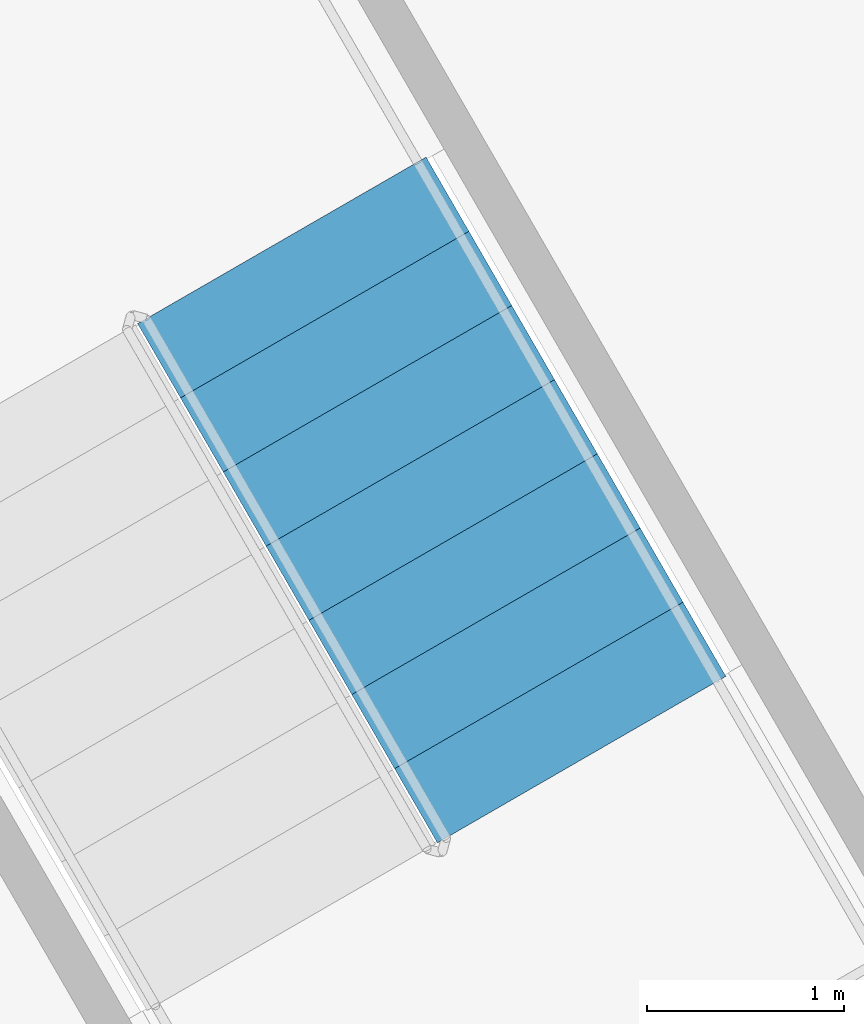
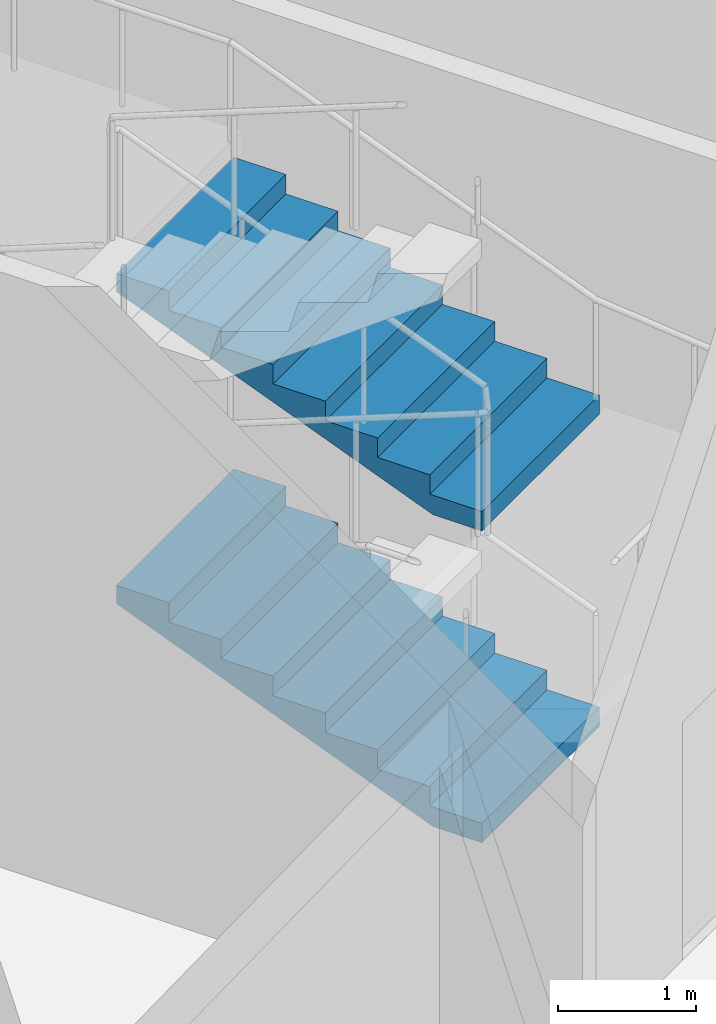
# One storey, part 11 of 13: 2 stair flights, 1 element without a shape of its own.
"""IFC4 building model written with IfcOpenShell, lengths in metres."""

from ifc_helpers import new_model, si_unit, direction, frame, origin, place, context, subcontext, project, spatial, polyline, outline, extrude, material, type_object, element, aggregate, save


model = new_model("IFC4")

# Units and contexts
model_context = context("Model", 3, precision=1e-05, world=origin(), true_north=direction((0.0, 1.0)))
body_context = subcontext(model_context, "Body", "Model", "MODEL_VIEW")
ifc_project = project(units=[si_unit("LENGTHUNIT", "METRE"), si_unit("AREAUNIT", "SQUARE_METRE"), si_unit("VOLUMEUNIT", "CUBIC_METRE"), si_unit("PLANEANGLEUNIT", "RADIAN"), si_unit("MASSUNIT", "GRAM", prefix="KILO")], contexts=[model_context])

# Site, building, storey
site_placement = place(None, origin())
site = spatial("IfcSite", under=ifc_project, at=site_placement, CompositionType="ELEMENT")
building_placement = place(site_placement, origin())
building = spatial("IfcBuilding", under=site, at=building_placement, Name="Tanit Gate Tower", CompositionType="ELEMENT")
storey_placement = place(building_placement, frame((0.0, 0.0, 404.800048828125)))
storey = spatial("IfcBuildingStorey", under=building, at=storey_placement, Name="L92", CompositionType="ELEMENT", Elevation=404.800048828125)

# Stair, stair flights
ifc_material_1 = material(Name="Concrete C40/50", Category="concrete")
stair_type = type_object("IfcStairType", Name="INT-STAIR-EXIT", PredefinedType="HALF_TURN_STAIR", material=ifc_material_1)
stair_placement = place(storey_placement, origin())
stair = element("IfcStair", 1, at=stair_placement, inside=storey, type_object=stair_type, Name="L92 STAIR S2", PredefinedType="HALF_TURN_STAIR")
ifc_material_2 = material(Name="Concrete C40/50", Category="concrete")
stair_flight_type = type_object("IfcStairFlightType", Name="INT-STAIR-FLIGHT", PredefinedType="STRAIGHT", material=ifc_material_2)
stair_flight_1_placement = place(storey_placement, frame((-5.808349609375, 11.766357421875, 0.0), z_axis=(0.0, 0.0, 1.0), x_axis=(-0.5, 0.866025403784, 0.0)))
stair_flight_1 = element("IfcStairFlight", 2, at=stair_flight_1_placement, type_object=stair_flight_type, Name="S2 flight 1", NumberOfRisers=8, NumberOfTreads=7, PredefinedType="STRAIGHT", RiserHeight=0.171875, TreadLength=0.4356, context=body_context, shape_type="SweptSolid", body=[
    extrude(outline(polyline([(0.0, 0.0), (0.0, 0.171875), (0.435546875, 0.171875), (0.435546875, 0.34375), (0.87109375, 0.34375), (0.87109375, 0.515625), (1.306884765625, 0.515625), (1.306884765625, 0.6875), (1.742431640625, 0.6875), (1.742431640625, 0.859375), (2.177978515625, 0.859375), (2.177978515625, 1.03125), (2.613525390625, 1.03125), (2.613525390625, 1.203125), (3.04931640625, 1.203125), (3.04931640625, 1.375), (3.04931640625, 1.0419921875), (0.408447265625, 0.0), (0.0, 0.0)])), frame((0.0, 0.84716796875, 0.0), z_axis=(0.0, -1.0, 0.0), x_axis=(1.0, 0.0, 0.0)), (0.0, 0.0, 1.0), 1.694091796875),
])
stair_flight_2_placement = place(storey_placement, frame((-5.808349609375, 11.766357421875, 2.75), z_axis=(0.0, 0.0, 1.0), x_axis=(-0.5, 0.866025403784, 0.0)))
stair_flight_2 = element("IfcStairFlight", 3, at=stair_flight_2_placement, type_object=stair_flight_type, Name="S2 flight 3", NumberOfRisers=8, NumberOfTreads=7, PredefinedType="STRAIGHT", RiserHeight=0.171875, TreadLength=0.4356, context=body_context, shape_type="SweptSolid", body=[
    extrude(outline(polyline([(0.0, 0.0), (0.0, 0.171875), (0.435546875, 0.171875), (0.435546875, 0.34375), (0.87109375, 0.34375), (0.87109375, 0.515625), (1.306884765625, 0.515625), (1.306884765625, 0.6875), (1.742431640625, 0.6875), (1.742431640625, 0.859375), (2.177978515625, 0.859375), (2.177978515625, 1.03125), (2.613525390625, 1.03125), (2.613525390625, 1.203125), (3.04931640625, 1.203125), (3.04931640625, 1.375), (3.04931640625, 1.0419921875), (0.408447265625, 0.0), (0.0, 0.0)])), frame((0.0, 0.84716796875, 0.0), z_axis=(0.0, -1.0, 0.0), x_axis=(1.0, 0.0, 0.0)), (0.0, 0.0, 1.0), 1.694091796875),
])
aggregate(stair, [stair_flight_1, stair_flight_2])

save(model, "model.ifc")
